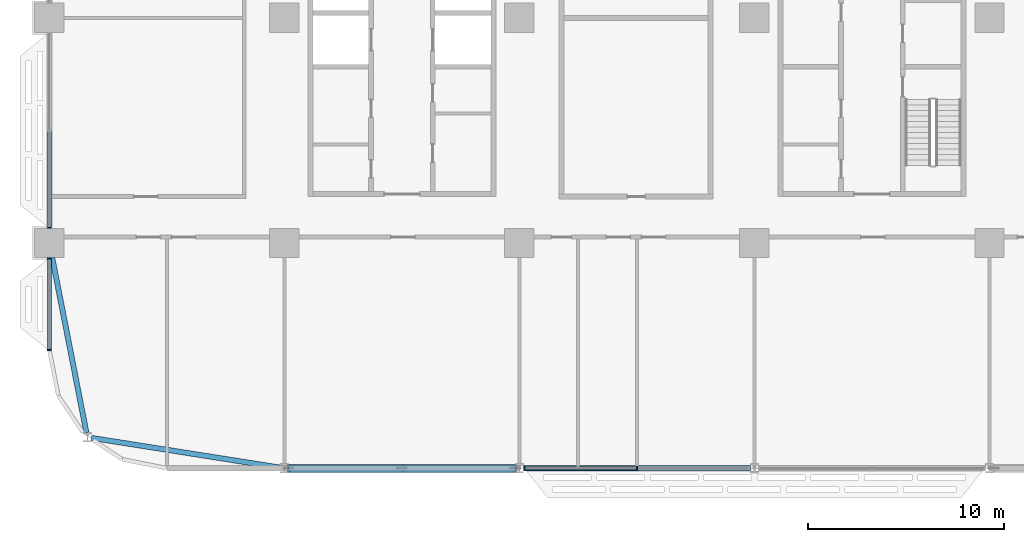
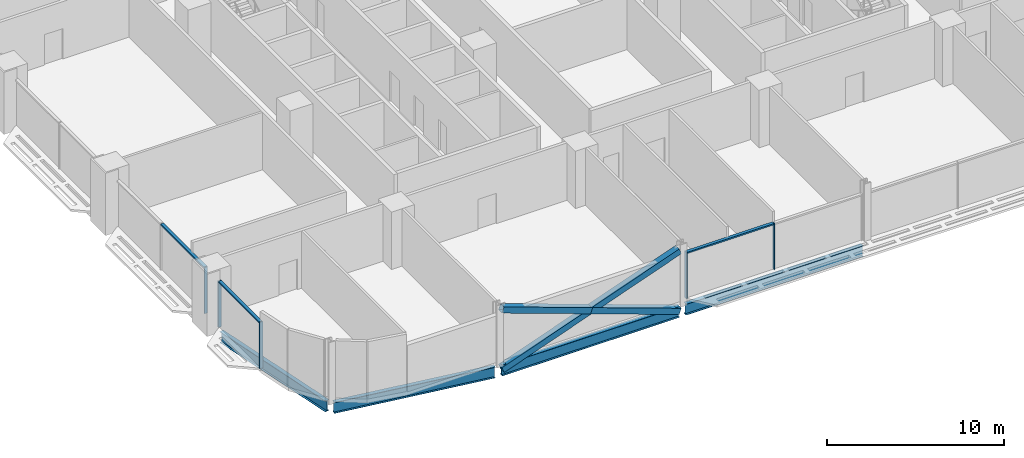
# One storey, part 3 of 29: 11 members, 4 beams, 3 elements without a shape of their own.
"""IFC4 building model written with IfcOpenShell, lengths in metres."""

from ifc_helpers import new_model, si_unit, direction, frame, origin, origin_2d, place, context, subcontext, project, spatial, rectangle, hollow_rectangle, i_section, extrude, material, material_profile, profile_set, type_object, element, aggregate, save


model = new_model("IFC4")

# Units and contexts
model_context = context("Model", 3, precision=1e-05, world=origin(), true_north=direction((0.0, 1.0)))
body_context = subcontext(model_context, "Body", "Model", "MODEL_VIEW")
ifc_project = project(units=[si_unit("LENGTHUNIT", "METRE"), si_unit("AREAUNIT", "SQUARE_METRE"), si_unit("VOLUMEUNIT", "CUBIC_METRE"), si_unit("PLANEANGLEUNIT", "RADIAN"), si_unit("MASSUNIT", "GRAM", prefix="KILO")], contexts=[model_context])

# Site, building, storey
site_placement = place(None, origin())
site = spatial("IfcSite", under=ifc_project, at=site_placement, CompositionType="ELEMENT")
building_placement = place(site_placement, origin())
building = spatial("IfcBuilding", under=site, at=building_placement, Name="Mahtab Terrace Research Tower", CompositionType="ELEMENT")
storey_placement = place(building_placement, frame((0.0, 0.0, 67.5)))
storey = spatial("IfcBuildingStorey", under=building, at=storey_placement, Name="L15", CompositionType="ELEMENT", Elevation=67.5)

# Members
ifc_material_1 = material(Name="Steel ASTM A500 Gr C", Category="steel")
ifc_material_profile_1 = material_profile(ifc_material_1, hollow_rectangle(XDim=0.406494140625, YDim=0.406494140625, WallThickness=0.01904296875, at=origin_2d()), Name="HSS16X16X3/4")
ifc_profile_set_1 = profile_set([ifc_material_profile_1], Name="Steel ASTM A500 Gr C")
member_type_1 = type_object("IfcMemberType", Name="HSS 16x16x3/4 brace XB161634", PredefinedType="BRACE", material=ifc_profile_set_1)
member_1_placement = place(storey_placement, frame((-29.787841796875, -23.0, -0.642333984375), z_axis=(0.941386519928, 0.0, 0.337329838731), x_axis=(0.0, 1.0, 0.0)))
element("IfcMember", 1, at=member_1_placement, inside=storey, type_object=member_type_1, Name="Exoskeleton brace L15 14 a", PredefinedType="BRACE", context=body_context, shape_type="SweptSolid", body=[
    extrude(hollow_rectangle(XDim=0.406494140625, YDim=0.406494140625, WallThickness=0.01904296875, at=origin_2d()), origin(), (0.0, 0.0, 1.0), 12.29638671875),
])
for number, where, z_axis, x_axis, name in (
    (2, (-18.212158203125, -23.0, -0.642333984375), (-0.941386519928, 0.0, 0.337329838731), (0.0, -1.0, 0.0), "Exoskeleton brace L15 14 b1"),
    (3, (-24.0, -23.0, 1.431640625), (-0.941386519928, 0.0, 0.337329838731), (0.0, -1.0, 0.0), "Exoskeleton brace L15 14 b2"),
):
    element("IfcMember", number, at=place(storey_placement, frame(where, z_axis=z_axis, x_axis=x_axis)), inside=storey, type_object=member_type_1, Name=name, PredefinedType="BRACE", context=body_context, shape_type="SweptSolid", body=[
        extrude(hollow_rectangle(XDim=0.406494140625, YDim=0.406494140625, WallThickness=0.01904296875, at=origin_2d()), origin(), (0.0, 0.0, 1.0), 6.148193359375),
    ])

# Curtain wall, member
ifc_material_2 = material(Name="Laboratory ribbon curtain wall")
curtain_wall_type = type_object("IfcCurtainWallType", Name="Laboratory ribbon curtain wall", PredefinedType="NOTDEFINED", material=ifc_material_2)
curtain_wall_1_placement = place(storey_placement, origin())
curtain_wall_1 = element("IfcCurtainWall", 4, at=curtain_wall_1_placement, inside=storey, type_object=curtain_wall_type, Name="EN.L15.8.17", PredefinedType="NOTDEFINED")
ifc_material_3 = material(Name="Natural anodised aluminium", Category="aluminium")
ifc_material_profile_2 = material_profile(ifc_material_3, rectangle(XDim=0.199951171875, YDim=0.06494140625, at=origin_2d()), Name="MULLION 65x200")
ifc_profile_set_2 = profile_set([ifc_material_profile_2], Name="Natural anodised aluminium")
member_type_2 = type_object("IfcMemberType", Name="Laboratory ribbon curtain wall mullion", PredefinedType="MULLION", material=ifc_profile_set_2)
member_2_placement = place(storey_placement, frame((-42.0, -10.717529296875, 0.0), z_axis=(0.0, 0.0, 1.0), x_axis=(1.0, 0.0, 0.0)))
member_2 = element("IfcMember", 5, at=member_2_placement, type_object=member_type_2, Name="CWL-2 mullion 3", PredefinedType="MULLION", context=body_context, shape_type="SweptSolid", body=[
    extrude(rectangle(XDim=0.199951171875, YDim=0.06494140625, at=origin_2d()), origin(), (0.0, 0.0, 1.0), 3.203125),
])

# Curtain wall, members
curtain_wall_2_placement = place(storey_placement, origin())
curtain_wall_2 = element("IfcCurtainWall", 6, at=curtain_wall_2_placement, inside=storey, type_object=curtain_wall_type, Name="EN.L15.8.18", PredefinedType="NOTDEFINED")
member_3_placement = place(storey_placement, frame((-42.0, -12.282470703125, 0.0), z_axis=(0.0, 0.0, 1.0), x_axis=(1.0, 0.0, 0.0)))
member_3 = element("IfcMember", 7, at=member_3_placement, type_object=member_type_2, Name="CWL-2 mullion 1", PredefinedType="MULLION", context=body_context, shape_type="SweptSolid", body=[
    extrude(rectangle(XDim=0.199951171875, YDim=0.06494140625, at=origin_2d()), origin(), (0.0, 0.0, 1.0), 3.203125),
])
member_4_placement = place(storey_placement, frame((-42.0, -16.967529296875, 0.0), z_axis=(0.0, 0.0, 1.0), x_axis=(1.0, 0.0, 0.0)))
member_4 = element("IfcMember", 8, at=member_4_placement, type_object=member_type_2, Name="CWL-2 mullion 2", PredefinedType="MULLION", context=body_context, shape_type="SweptSolid", body=[
    extrude(rectangle(XDim=0.199951171875, YDim=0.06494140625, at=origin_2d()), origin(), (0.0, 0.0, 1.0), 3.203125),
])

curtain_wall_3_placement = place(storey_placement, origin())
curtain_wall_3 = element("IfcCurtainWall", 9, at=curtain_wall_3_placement, inside=storey, type_object=curtain_wall_type, Name="EN.L15.13.25", PredefinedType="NOTDEFINED")
member_5_placement = place(storey_placement, frame((-17.7294921875, -23.0, 0.0), z_axis=(0.0, 0.0, 1.0), x_axis=(0.0, 1.0, 0.0)))
member_5 = element("IfcMember", 10, at=member_5_placement, type_object=member_type_2, Name="CWL-2 mullion 1", PredefinedType="MULLION", context=body_context, shape_type="SweptSolid", body=[
    extrude(rectangle(XDim=0.199951171875, YDim=0.06494140625, at=origin_2d()), origin(), (0.0, 0.0, 1.0), 3.203125),
])
member_6_placement = place(storey_placement, frame((-12.0, -23.0, 0.0), z_axis=(0.0, 0.0, 1.0), x_axis=(0.0, 1.0, 0.0)))
member_6 = element("IfcMember", 11, at=member_6_placement, type_object=member_type_2, Name="CWL-2 mullion 2", PredefinedType="MULLION", context=body_context, shape_type="SweptSolid", body=[
    extrude(rectangle(XDim=0.199951171875, YDim=0.06494140625, at=origin_2d()), origin(), (0.0, 0.0, 1.0), 3.203125),
])

# Member
ifc_material_profile_3 = material_profile(ifc_material_3, rectangle(XDim=0.199951171875, YDim=0.10009765625, at=origin_2d()), Name="TRANSOM 100x200")
ifc_profile_set_3 = profile_set([ifc_material_profile_3], Name="Natural anodised aluminium")
member_type_3 = type_object("IfcMemberType", Name="Laboratory ribbon curtain wall transom", PredefinedType="USERDEFINED", material=ifc_profile_set_3)
member_7_placement = place(storey_placement, frame((-42.0, -5.782470703125, 3.153076171875), z_axis=(0.0, -1.0, 0.0), x_axis=(1.0, 0.0, 0.0)))
member_7 = element("IfcMember", 12, at=member_7_placement, type_object=member_type_3, Name="CWL-2 transom 2", ObjectType="TRANSOM", PredefinedType="USERDEFINED", context=body_context, shape_type="SweptSolid", body=[
    extrude(rectangle(XDim=0.199951171875, YDim=0.10009765625, at=origin_2d()), origin(), (0.0, 0.0, 1.0), 4.902587890625),
])

aggregate(curtain_wall_1, [member_2, member_7])

member_8_placement = place(storey_placement, frame((-42.0, -12.31494140625, 3.153076171875), z_axis=(0.0, -1.0, 0.0), x_axis=(1.0, 0.0, 0.0)))
member_8 = element("IfcMember", 13, at=member_8_placement, type_object=member_type_3, Name="CWL-2 transom 1", ObjectType="TRANSOM", PredefinedType="USERDEFINED", context=body_context, shape_type="SweptSolid", body=[
    extrude(rectangle(XDim=0.199951171875, YDim=0.10009765625, at=origin_2d()), origin(), (0.0, 0.0, 1.0), 4.6201171875),
])

aggregate(curtain_wall_2, [member_3, member_4, member_8])

member_9_placement = place(storey_placement, frame((-17.697021484375, -23.0, 3.153076171875), z_axis=(1.0, 0.0, 0.0), x_axis=(0.0, 1.0, 0.0)))
member_9 = element("IfcMember", 14, at=member_9_placement, type_object=member_type_3, Name="CWL-2 transom 1", ObjectType="TRANSOM", PredefinedType="USERDEFINED", context=body_context, shape_type="SweptSolid", body=[
    extrude(rectangle(XDim=0.199951171875, YDim=0.10009765625, at=origin_2d()), origin(), (0.0, 0.0, 1.0), 5.66455078125),
])

aggregate(curtain_wall_3, [member_5, member_6, member_9])

# Beams
ifc_material_4 = material(Name="Steel ASTM A992 Gr 50", Category="steel")
ifc_material_profile_4 = material_profile(ifc_material_4, i_section(OverallWidth=0.2666015625, OverallDepth=0.7568359375, WebThickness=0.013916015625, FlangeThickness=0.019287109375, at=origin_2d()), Name="W30X108")
ifc_profile_set_4 = profile_set([ifc_material_profile_4], Name="Steel ASTM A992 Gr 50")
beam_type = type_object("IfcBeamType", Name="W30x108 beam BS30108", PredefinedType="BEAM", material=ifc_profile_set_4)
beam_1_placement = place(storey_placement, frame((-41.853515625, -12.25, -0.718505859375), z_axis=(0.191825617976, -0.981429025599, 0.0), x_axis=(0.981429025599, 0.191825617976, 0.0)))
element("IfcBeam", 15, at=beam_1_placement, inside=storey, type_object=beam_type, Name="Spandrel beam L15 12", PredefinedType="BEAM", context=body_context, shape_type="SweptSolid", body=[
    extrude(i_section(OverallWidth=0.2666015625, OverallDepth=0.7568359375, WebThickness=0.013916015625, FlangeThickness=0.019287109375, at=origin_2d()), origin(), (0.0, 0.0, 1.0), 9.097412109375),
])
beam_2_placement = place(storey_placement, frame((-39.849853515625, -21.449462890625, -0.718505859375), z_axis=(0.987836303792, -0.155497385545, 0.0), x_axis=(0.155497385545, 0.987836303792, 0.0)))
element("IfcBeam", 16, at=beam_2_placement, inside=storey, type_object=beam_type, Name="Spandrel beam L15 13", PredefinedType="BEAM", context=body_context, shape_type="SweptSolid", body=[
    extrude(i_section(OverallWidth=0.2666015625, OverallDepth=0.7568359375, WebThickness=0.013916015625, FlangeThickness=0.019287109375, at=origin_2d()), origin(), (0.0, 0.0, 1.0), 9.75634765625),
])
for number, where, z_axis, x_axis, name in (
    (17, (-29.787841796875, -23.0, -0.718505859375), (1.0, 0.0, 0.0), (0.0, 1.0, 0.0), "Spandrel beam L15 14"),
    (18, (-17.787841796875, -23.0, -0.718505859375), (1.0, 0.0, 0.0), (0.0, 1.0, 0.0), "Spandrel beam L15 15"),
):
    element("IfcBeam", number, at=place(storey_placement, frame(where, z_axis=z_axis, x_axis=x_axis)), inside=storey, type_object=beam_type, Name=name, PredefinedType="BEAM", context=body_context, shape_type="SweptSolid", body=[
        extrude(i_section(OverallWidth=0.2666015625, OverallDepth=0.7568359375, WebThickness=0.013916015625, FlangeThickness=0.019287109375, at=origin_2d()), origin(), (0.0, 0.0, 1.0), 11.57568359375),
    ])

save(model, "model.ifc")
